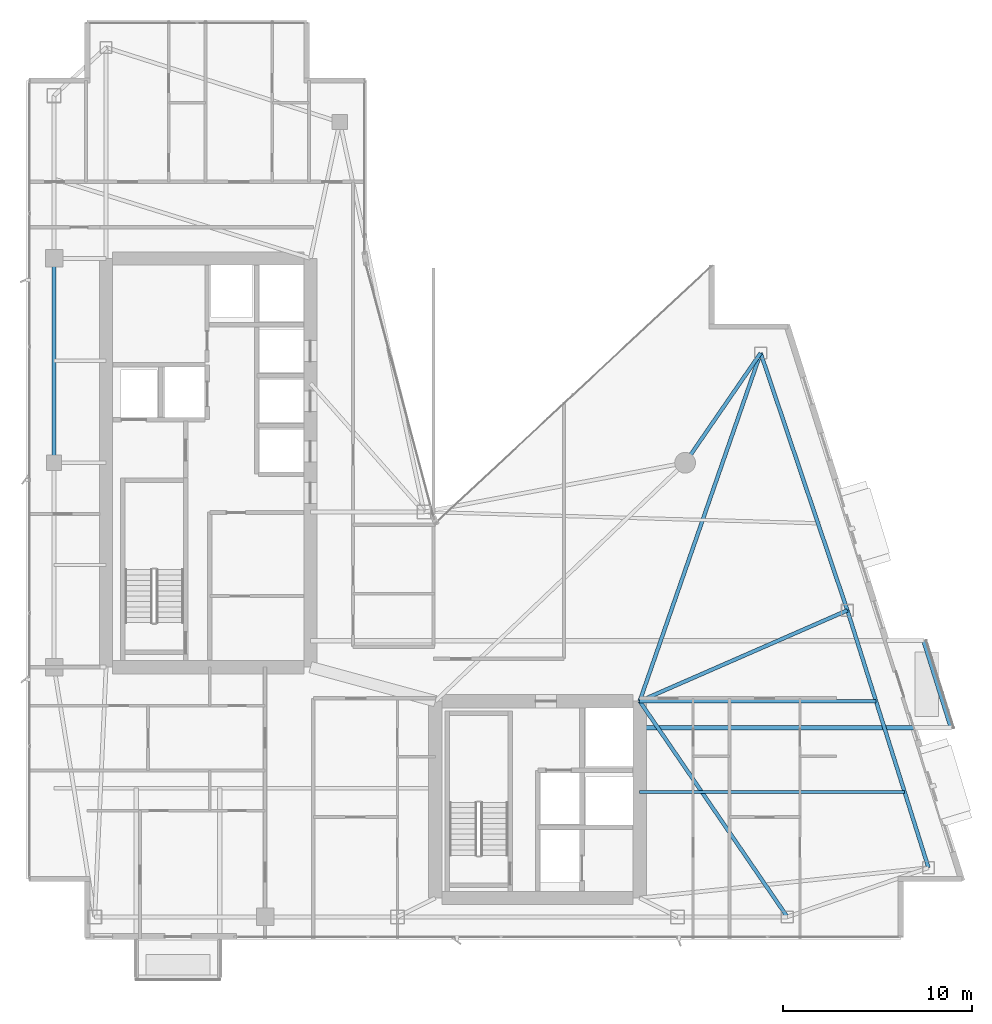
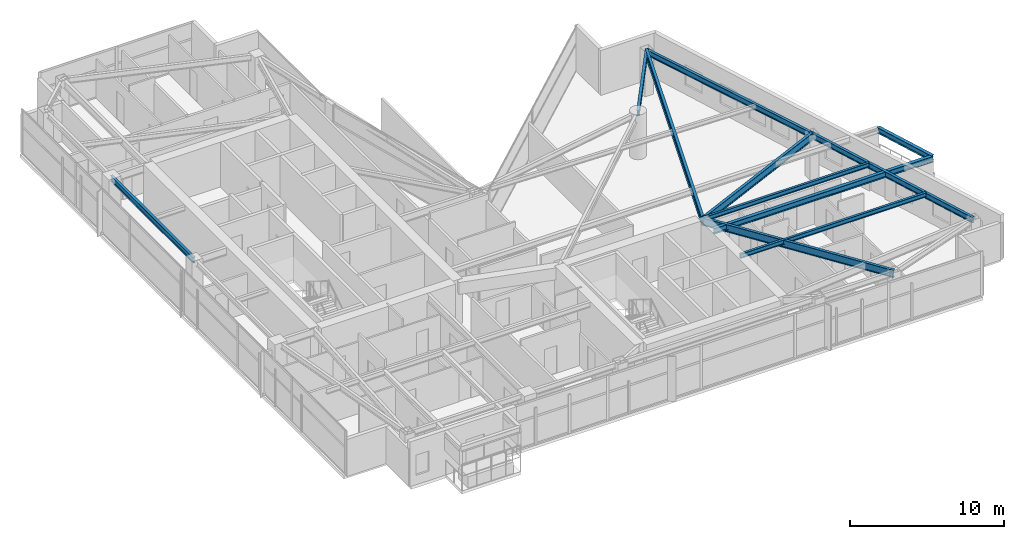
# One storey, part 14 of 27: 11 beams.
"""IFC4 building model written with IfcOpenShell, lengths in metres."""

from ifc_helpers import new_model, si_unit, direction, frame, origin, origin_2d, place, context, subcontext, project, spatial, i_section, extrude, material, material_profile, profile_set, type_object, element, save


model = new_model("IFC4")

# Units and contexts
model_context = context("Model", 3, precision=1e-05, world=origin(), true_north=direction((0.0, 1.0)))
body_context = subcontext(model_context, "Body", "Model", "MODEL_VIEW")
ifc_project = project(units=[si_unit("LENGTHUNIT", "METRE"), si_unit("AREAUNIT", "SQUARE_METRE"), si_unit("VOLUMEUNIT", "CUBIC_METRE"), si_unit("PLANEANGLEUNIT", "RADIAN"), si_unit("MASSUNIT", "GRAM", prefix="KILO")], contexts=[model_context])

# Site, building, storey
site_placement = place(None, origin())
site = spatial("IfcSite", under=ifc_project, at=site_placement, CompositionType="ELEMENT")
building_placement = place(site_placement, origin())
building = spatial("IfcBuilding", under=site, at=building_placement, Name="Calvorn Quay Hotel", CompositionType="ELEMENT")
storey_placement = place(building_placement, frame((0.0, 0.0, 223.10009765625)))
storey = spatial("IfcBuildingStorey", under=building, at=storey_placement, Name="L55", CompositionType="ELEMENT", Elevation=223.10009765625)

# Beams
ifc_material_1 = material(Name="Steel Q355B", Category="steel")
ifc_material_profile_1 = material_profile(ifc_material_1, i_section(OverallWidth=0.25, OverallDepth=0.449951171875, WebThickness=0.011962890625, FlangeThickness=0.01611328125, FilletRadius=0.01611328125, at=origin_2d()), Name="HN450x250x12x16")
ifc_profile_set_1 = profile_set([ifc_material_profile_1], Name="Steel Q355B")
beam_type_1 = type_object("IfcBeamType", Name="BM-CANT-BALC", PredefinedType="BEAM", material=ifc_profile_set_1)
beam_1_placement = place(storey_placement, frame((32.39990234375, 13.60009765625, 3.31494140625), z_axis=(1.0, 0.0, 0.0), x_axis=(0.0, 1.0, 0.0)))
element("IfcBeam", 1, at=beam_1_placement, inside=storey, type_object=beam_type_1, Name="Cantilever Balcony Beam BCB-L56-1A", PredefinedType="BEAM", context=body_context, shape_type="SweptSolid", body=[
    extrude(i_section(OverallWidth=0.25, OverallDepth=0.449951171875, WebThickness=0.011962890625, FlangeThickness=0.01611328125, FilletRadius=0.01611328125, at=origin_2d()), origin(), (0.0, 0.0, 1.0), 16.468994140625),
])
beam_2_placement = place(storey_placement, frame((48.868896484375, 13.60009765625, 3.31494140625), z_axis=(-0.300450487966, 0.953797412599, 0.0), x_axis=(-0.953797412599, -0.300450487966, 0.0)))
element("IfcBeam", 2, at=beam_2_placement, inside=storey, type_object=beam_type_1, Name="Beam BCBO-L56-1", PredefinedType="BEAM", context=body_context, shape_type="SweptSolid", body=[
    extrude(i_section(OverallWidth=0.25, OverallDepth=0.449951171875, WebThickness=0.011962890625, FlangeThickness=0.01611328125, FilletRadius=0.01611328125, at=origin_2d()), origin(), (0.0, 0.0, 1.0), 4.82275390625),
])
ifc_material_2 = material(Name="Steel Q355B", Category="steel")
ifc_material_profile_2 = material_profile(ifc_material_2, i_section(OverallWidth=0.199951171875, OverallDepth=0.60009765625, WebThickness=0.010986328125, FlangeThickness=0.01708984375, FilletRadius=0.01806640625, at=origin_2d()), Name="HN600x200x11x17")
ifc_profile_set_2 = profile_set([ifc_material_profile_2], Name="Steel Q355B")
beam_type_2 = type_object("IfcBeamType", Name="BM-GIRD-TYP", PredefinedType="BEAM", material=ifc_profile_set_2)
beam_3_placement = place(storey_placement, frame((32.39990234375, 15.0, 3.239990234375), z_axis=(0.916218128543, 0.40067984842, 0.0), x_axis=(-0.40067984842, 0.916218128543, 0.0)))
element("IfcBeam", 3, at=beam_3_placement, inside=storey, type_object=beam_type_2, Name="Beam BG-L55-E2", PredefinedType="BEAM", context=body_context, shape_type="SweptSolid", body=[
    extrude(i_section(OverallWidth=0.199951171875, OverallDepth=0.60009765625, WebThickness=0.010986328125, FlangeThickness=0.01708984375, FilletRadius=0.01806640625, at=origin_2d()), origin(), (0.0, 0.0, 1.0), 11.979736328125),
])
beam_4_placement = place(storey_placement, frame((32.39990234375, 15.0, 3.239990234375), z_axis=(0.328115152411, 0.94463773308, 0.0), x_axis=(-0.94463773308, 0.328115152411, 0.0)))
element("IfcBeam", 4, at=beam_4_placement, inside=storey, type_object=beam_type_2, Name="Beam BG-L55-E3", PredefinedType="BEAM", context=body_context, shape_type="SweptSolid", body=[
    extrude(i_section(OverallWidth=0.199951171875, OverallDepth=0.60009765625, WebThickness=0.010986328125, FlangeThickness=0.01708984375, FilletRadius=0.01806640625, at=origin_2d()), origin(), (0.0, 0.0, 1.0), 19.478271484375),
])
beam_5_placement = place(storey_placement, frame((40.199951171875, 3.60009765625, 3.239990234375), z_axis=(-0.564689618177, 0.825303359452, 0.0), x_axis=(-0.825303359452, -0.564689618177, 0.0)))
element("IfcBeam", 5, at=beam_5_placement, inside=storey, type_object=beam_type_2, Name="Beam BG-L55-E6", PredefinedType="BEAM", context=body_context, shape_type="SweptSolid", body=[
    extrude(i_section(OverallWidth=0.199951171875, OverallDepth=0.60009765625, WebThickness=0.010986328125, FlangeThickness=0.01708984375, FilletRadius=0.01806640625, at=origin_2d()), origin(), (0.0, 0.0, 1.0), 13.81298828125),
])
ifc_material_3 = material(Name="Steel Q355B", Category="steel")
ifc_material_profile_3 = material_profile(ifc_material_3, i_section(OverallWidth=0.175048828125, OverallDepth=0.35009765625, WebThickness=0.007080078125, FlangeThickness=0.010986328125, FilletRadius=0.013916015625, at=origin_2d()), Name="HN350x175x7x11")
ifc_profile_set_3 = profile_set([ifc_material_profile_3], Name="Steel Q355B")
beam_type_3 = type_object("IfcBeamType", Name="BM-JOIST-SEC", PredefinedType="JOIST", material=ifc_profile_set_3)
beam_6_placement = place(storey_placement, frame((32.39990234375, 10.199951171875, 3.364990234375), z_axis=(1.0, 0.0, 0.0), x_axis=(0.0, 1.0, 0.0)))
element("IfcBeam", 6, at=beam_6_placement, inside=storey, type_object=beam_type_3, Name="Beam BJ-L55-E1", PredefinedType="JOIST", context=body_context, shape_type="SweptSolid", body=[
    extrude(i_section(OverallWidth=0.175048828125, OverallDepth=0.35009765625, WebThickness=0.007080078125, FlangeThickness=0.010986328125, FilletRadius=0.013916015625, at=origin_2d()), origin(), (0.0, 0.0, 1.0), 14.0009765625),
])
beam_7_placement = place(storey_placement, frame((32.39990234375, 15.0, 3.364990234375), z_axis=(1.0, 0.0, 0.0), x_axis=(0.0, 1.0, 0.0)))
element("IfcBeam", 7, at=beam_7_placement, inside=storey, type_object=beam_type_3, Name="Beam BJ-L55-E2", PredefinedType="JOIST", context=body_context, shape_type="SweptSolid", body=[
    extrude(i_section(OverallWidth=0.175048828125, OverallDepth=0.35009765625, WebThickness=0.007080078125, FlangeThickness=0.010986328125, FilletRadius=0.013916015625, at=origin_2d()), origin(), (0.0, 0.0, 1.0), 12.488037109375),
])
ifc_material_4 = material(Name="Steel Q355B", Category="steel")
ifc_material_profile_4 = material_profile(ifc_material_4, i_section(OverallWidth=0.199951171875, OverallDepth=0.449951171875, WebThickness=0.009033203125, FlangeThickness=0.013916015625, FilletRadius=0.01611328125, at=origin_2d()), Name="HN450x200x9x14")
ifc_profile_set_4 = profile_set([ifc_material_profile_4], Name="Steel Q355B")
beam_type_4 = type_object("IfcBeamType", Name="BM-SPANDREL-Z3", PredefinedType="SPANDREL", material=ifc_profile_set_4)
beam_8_placement = place(storey_placement, frame((1.449951171875, 27.60009765625, 3.31494140625), z_axis=(0.0, 1.0, 0.0), x_axis=(-1.0, 0.0, 0.0)))
element("IfcBeam", 8, at=beam_8_placement, inside=storey, type_object=beam_type_4, Name="Beam BSP-L55-W3", PredefinedType="SPANDREL", context=body_context, shape_type="SweptSolid", body=[
    extrude(i_section(OverallWidth=0.199951171875, OverallDepth=0.449951171875, WebThickness=0.009033203125, FlangeThickness=0.013916015625, FilletRadius=0.01611328125, at=origin_2d()), origin(), (0.0, 0.0, 1.0), 10.7998046875),
])
beam_9_placement = place(storey_placement, frame((47.660888671875, 6.199951171875, 3.31494140625), z_axis=(-0.300502802767, 0.953780931624, 0.0), x_axis=(-0.953780931624, -0.300502802767, 0.0)))
element("IfcBeam", 9, at=beam_9_placement, inside=storey, type_object=beam_type_4, Name="Beam BSP-L55-E1", PredefinedType="SPANDREL", context=body_context, shape_type="SweptSolid", body=[
    extrude(i_section(OverallWidth=0.199951171875, OverallDepth=0.449951171875, WebThickness=0.009033203125, FlangeThickness=0.013916015625, FilletRadius=0.01611328125, at=origin_2d()), origin(), (0.0, 0.0, 1.0), 14.259033203125),
])
beam_10_placement = place(storey_placement, frame((43.3759765625, 19.800048828125, 3.31494140625), z_axis=(-0.319466515944, 0.947597564998, 0.0), x_axis=(-0.947597564998, -0.319466515944, 0.0)))
element("IfcBeam", 10, at=beam_10_placement, inside=storey, type_object=beam_type_4, Name="Beam BSP-L55-E2", PredefinedType="SPANDREL", context=body_context, shape_type="SweptSolid", body=[
    extrude(i_section(OverallWidth=0.199951171875, OverallDepth=0.449951171875, WebThickness=0.009033203125, FlangeThickness=0.013916015625, FilletRadius=0.01611328125, at=origin_2d()), origin(), (0.0, 0.0, 1.0), 14.35205078125),
])
beam_11_placement = place(storey_placement, frame((38.791015625, 33.39990234375, 3.31494140625), z_axis=(-0.566876101303, -0.823803062492, 0.0), x_axis=(0.823803062492, -0.566876101303, 0.0)))
element("IfcBeam", 11, at=beam_11_placement, inside=storey, type_object=beam_type_4, Name="Beam BSP-L55-E3", PredefinedType="SPANDREL", context=body_context, shape_type="SweptSolid", body=[
    extrude(i_section(OverallWidth=0.199951171875, OverallDepth=0.449951171875, WebThickness=0.009033203125, FlangeThickness=0.013916015625, FilletRadius=0.01611328125, at=origin_2d()), origin(), (0.0, 0.0, 1.0), 7.040283203125),
])

save(model, "model.ifc")
